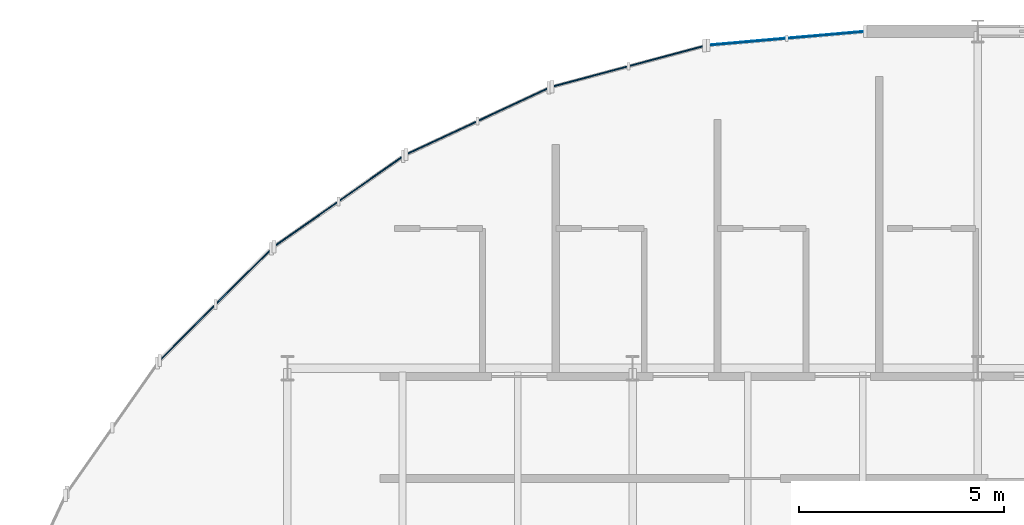
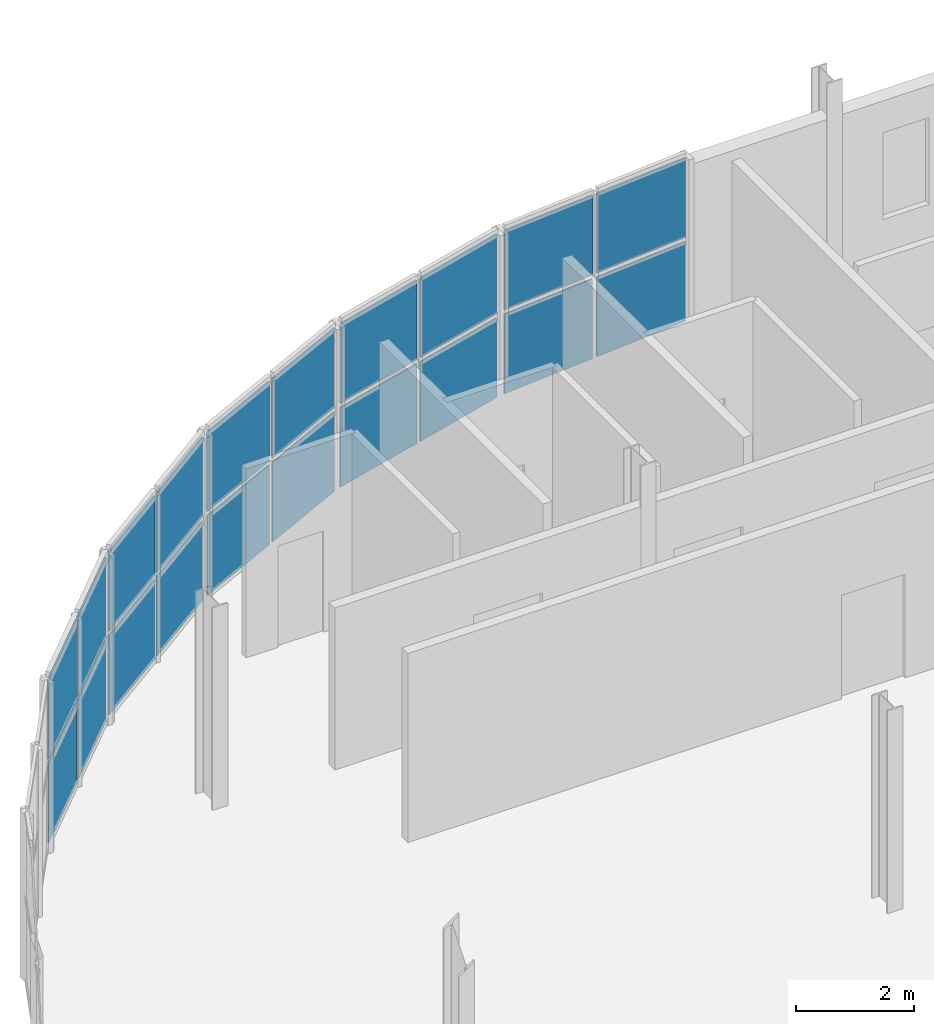
# One storey, part 33 of 58: 20 plates, 5 elements without a shape of their own.
"""IFC4 building model written with IfcOpenShell, lengths in metres."""

from ifc_helpers import new_model, si_unit, direction, frame, origin, origin_2d, place, context, subcontext, project, spatial, rectangle, extrude, material, layer, layer_set, type_object, element, aggregate, save


model = new_model("IFC4")

# Units and contexts
model_context = context("Model", 3, precision=1e-05, world=origin(), true_north=direction((0.0, 1.0)))
body_context = subcontext(model_context, "Body", "Model", "MODEL_VIEW")
ifc_project = project(units=[si_unit("LENGTHUNIT", "METRE"), si_unit("AREAUNIT", "SQUARE_METRE"), si_unit("VOLUMEUNIT", "CUBIC_METRE"), si_unit("PLANEANGLEUNIT", "RADIAN"), si_unit("MASSUNIT", "GRAM", prefix="KILO")], contexts=[model_context])

# Site, building, storey
site_placement = place(None, origin())
site = spatial("IfcSite", under=ifc_project, at=site_placement, CompositionType="ELEMENT")
building_placement = place(site_placement, origin())
building = spatial("IfcBuilding", under=site, at=building_placement, Name="Sefraquen Railside Congress Hotel", CompositionType="ELEMENT")
storey_placement = place(building_placement, frame((0.0, 0.0, 16.199951171875)))
storey = spatial("IfcBuildingStorey", under=building, at=storey_placement, Name="L03", CompositionType="ELEMENT", Elevation=16.199951171875)

# Curtain wall, plates
ifc_material_1 = material(Name="Thermally broken anodised aluminium and low-E double glazing", Category="aluminium")
ifc_layer_1 = layer(ifc_material_1, 0.199951171875)
ifc_layer_set_1 = layer_set([ifc_layer_1], Name="Thermally broken anodised aluminium and low-E double glazing")
curtain_wall_type_1 = type_object("IfcCurtainWallType", Name="TCW-UCW-28", PredefinedType="USERDEFINED", material=ifc_layer_set_1)
curtain_wall_1_placement = place(storey_placement, origin())
curtain_wall_1 = element("IfcCurtainWall", 1, at=curtain_wall_1_placement, inside=storey, type_object=curtain_wall_type_1, Name="Rotunda L03 curved curtain wall facet 1", ObjectType="UNITISED CURTAIN WALL", PredefinedType="USERDEFINED")
ifc_material_2 = material(Name="Solar-control low-E double glazing", Category="glass")
ifc_layer_2 = layer(ifc_material_2, 0.02392578125)
ifc_layer_set_2 = layer_set([ifc_layer_2], Name="Solar-control low-E double glazing")
plate_type_1 = type_object("IfcPlateType", Name="TP-CWP-01", PredefinedType="CURTAIN_PANEL", material=ifc_layer_set_2)
plate_1_placement = place(storey_placement, frame((21.50341796875, 117.912841796875, 0.0400390625), z_axis=(0.0, 0.0, 1.0), x_axis=(-0.996196219095, -0.087138355857, 0.0)))
plate_1 = element("IfcPlate", 2, at=plate_1_placement, type_object=plate_type_1, Name="CW-L03-ROT-01 panel 1.1", PredefinedType="CURTAIN_PANEL", context=body_context, shape_type="SweptSolid", body=[
    extrude(rectangle(XDim=1.8310546875, YDim=0.02392578125, at=origin_2d()), origin(), (0.0, 0.0, 1.0), 1.655029296875),
])
plate_2_placement = place(storey_placement, frame((19.589599609375, 117.745361328125, 0.0400390625), z_axis=(0.0, 0.0, 1.0), x_axis=(-0.996196219095, -0.087138355857, 0.0)))
plate_2 = element("IfcPlate", 3, at=plate_2_placement, type_object=plate_type_1, Name="CW-L03-ROT-01 panel 1.2", PredefinedType="CURTAIN_PANEL", context=body_context, shape_type="SweptSolid", body=[
    extrude(rectangle(XDim=1.8310546875, YDim=0.02392578125, at=origin_2d()), origin(), (0.0, 0.0, 1.0), 1.655029296875),
])

ifc_layer_3 = layer(ifc_material_1, 0.199951171875)
ifc_layer_set_3 = layer_set([ifc_layer_3], Name="Thermally broken anodised aluminium and low-E double glazing")
curtain_wall_type_2 = type_object("IfcCurtainWallType", Name="TCW-UCW-29", PredefinedType="USERDEFINED", material=ifc_layer_set_3)
curtain_wall_2_placement = place(storey_placement, origin())
curtain_wall_2 = element("IfcCurtainWall", 4, at=curtain_wall_2_placement, inside=storey, type_object=curtain_wall_type_2, Name="Rotunda L03 curved curtain wall facet 2", ObjectType="UNITISED CURTAIN WALL", PredefinedType="USERDEFINED")
plate_3_placement = place(storey_placement, frame((17.62646484375, 117.399169921875, 0.0400390625), z_axis=(0.0, 0.0, 1.0), x_axis=(-0.96593486019, -0.258785327773, 0.0)))
plate_3 = element("IfcPlate", 5, at=plate_3_placement, type_object=plate_type_1, Name="CW-L03-ROT-02 panel 1.1", PredefinedType="CURTAIN_PANEL", context=body_context, shape_type="SweptSolid", body=[
    extrude(rectangle(XDim=1.8310546875, YDim=0.02392578125, at=origin_2d()), origin(), (0.0, 0.0, 1.0), 1.655029296875),
])
plate_4_placement = place(storey_placement, frame((15.77099609375, 116.902099609375, 0.0400390625), z_axis=(0.0, 0.0, 1.0), x_axis=(-0.96593486019, -0.258785327773, 0.0)))
plate_4 = element("IfcPlate", 6, at=plate_4_placement, type_object=plate_type_1, Name="CW-L03-ROT-02 panel 1.2", PredefinedType="CURTAIN_PANEL", context=body_context, shape_type="SweptSolid", body=[
    extrude(rectangle(XDim=1.8310546875, YDim=0.02392578125, at=origin_2d()), origin(), (0.0, 0.0, 1.0), 1.655029296875),
])

ifc_layer_4 = layer(ifc_material_1, 0.199951171875)
ifc_layer_set_4 = layer_set([ifc_layer_4], Name="Thermally broken anodised aluminium and low-E double glazing")
curtain_wall_type_3 = type_object("IfcCurtainWallType", Name="TCW-UCW-30", PredefinedType="USERDEFINED", material=ifc_layer_set_4)
curtain_wall_3_placement = place(storey_placement, origin())
curtain_wall_3 = element("IfcCurtainWall", 7, at=curtain_wall_3_placement, inside=storey, type_object=curtain_wall_type_3, Name="Rotunda L03 curved curtain wall facet 3", ObjectType="UNITISED CURTAIN WALL", PredefinedType="USERDEFINED")
plate_5_placement = place(storey_placement, frame((13.897705078125, 116.22021484375, 0.0400390625), z_axis=(0.0, 0.0, 1.0), x_axis=(-0.906300410818, -0.422634079731, 0.0)))
plate_5 = element("IfcPlate", 8, at=plate_5_placement, type_object=plate_type_1, Name="CW-L03-ROT-03 panel 1.1", PredefinedType="CURTAIN_PANEL", context=body_context, shape_type="SweptSolid", body=[
    extrude(rectangle(XDim=1.830810546875, YDim=0.02392578125, at=origin_2d()), origin(), (0.0, 0.0, 1.0), 1.655029296875),
])
plate_6_placement = place(storey_placement, frame((12.15673828125, 115.408447265625, 0.0400390625), z_axis=(0.0, 0.0, 1.0), x_axis=(-0.906300410818, -0.422634079731, 0.0)))
plate_6 = element("IfcPlate", 9, at=plate_6_placement, type_object=plate_type_1, Name="CW-L03-ROT-03 panel 1.2", PredefinedType="CURTAIN_PANEL", context=body_context, shape_type="SweptSolid", body=[
    extrude(rectangle(XDim=1.830810546875, YDim=0.02392578125, at=origin_2d()), origin(), (0.0, 0.0, 1.0), 1.655029296875),
])

ifc_layer_5 = layer(ifc_material_1, 0.199951171875)
ifc_layer_set_5 = layer_set([ifc_layer_5], Name="Thermally broken anodised aluminium and low-E double glazing")
curtain_wall_type_4 = type_object("IfcCurtainWallType", Name="TCW-UCW-31", PredefinedType="USERDEFINED", material=ifc_layer_set_5)
curtain_wall_4_placement = place(storey_placement, origin())
curtain_wall_4 = element("IfcCurtainWall", 10, at=curtain_wall_4_placement, inside=storey, type_object=curtain_wall_type_4, Name="Rotunda L03 curved curtain wall facet 4", ObjectType="UNITISED CURTAIN WALL", PredefinedType="USERDEFINED")
plate_7_placement = place(storey_placement, frame((10.430419921875, 114.411865234375, 0.0400390625), z_axis=(0.0, 0.0, 1.0), x_axis=(-0.819132022195, -0.573605029802, 0.0)))
plate_7 = element("IfcPlate", 11, at=plate_7_placement, type_object=plate_type_1, Name="CW-L03-ROT-04 panel 1.1", PredefinedType="CURTAIN_PANEL", context=body_context, shape_type="SweptSolid", body=[
    extrude(rectangle(XDim=1.8310546875, YDim=0.02392578125, at=origin_2d()), origin(), (0.0, 0.0, 1.0), 1.655029296875),
])
plate_8_placement = place(storey_placement, frame((8.856689453125, 113.309814453125, 0.0400390625), z_axis=(0.0, 0.0, 1.0), x_axis=(-0.819132022195, -0.573605029802, 0.0)))
plate_8 = element("IfcPlate", 12, at=plate_8_placement, type_object=plate_type_1, Name="CW-L03-ROT-04 panel 1.2", PredefinedType="CURTAIN_PANEL", context=body_context, shape_type="SweptSolid", body=[
    extrude(rectangle(XDim=1.8310546875, YDim=0.02392578125, at=origin_2d()), origin(), (0.0, 0.0, 1.0), 1.655029296875),
])

ifc_layer_6 = layer(ifc_material_1, 0.199951171875)
ifc_layer_set_6 = layer_set([ifc_layer_6], Name="Thermally broken anodised aluminium and low-E double glazing")
curtain_wall_type_5 = type_object("IfcCurtainWallType", Name="TCW-UCW-32", PredefinedType="USERDEFINED", material=ifc_layer_set_6)
curtain_wall_5_placement = place(storey_placement, origin())
curtain_wall_5 = element("IfcCurtainWall", 13, at=curtain_wall_5_placement, inside=storey, type_object=curtain_wall_type_5, Name="Rotunda L03 curved curtain wall facet 5", ObjectType="UNITISED CURTAIN WALL", PredefinedType="USERDEFINED")
plate_9_placement = place(storey_placement, frame((7.329833984375, 112.028564453125, 0.0400390625), z_axis=(0.0, 0.0, 1.0), x_axis=(-0.707106781187, -0.707106781187, 0.0)))
plate_9 = element("IfcPlate", 14, at=plate_9_placement, type_object=plate_type_1, Name="CW-L03-ROT-05 panel 1.1", PredefinedType="CURTAIN_PANEL", context=body_context, shape_type="SweptSolid", body=[
    extrude(rectangle(XDim=1.8310546875, YDim=0.02392578125, at=origin_2d()), origin(), (0.0, 0.0, 1.0), 1.655029296875),
])
plate_10_placement = place(storey_placement, frame((5.971435546875, 110.670166015625, 0.0400390625), z_axis=(0.0, 0.0, 1.0), x_axis=(-0.707106781187, -0.707106781187, 0.0)))
plate_10 = element("IfcPlate", 15, at=plate_10_placement, type_object=plate_type_1, Name="CW-L03-ROT-05 panel 1.2", PredefinedType="CURTAIN_PANEL", context=body_context, shape_type="SweptSolid", body=[
    extrude(rectangle(XDim=1.8310546875, YDim=0.02392578125, at=origin_2d()), origin(), (0.0, 0.0, 1.0), 1.655029296875),
])

# Plate
ifc_material_3 = material(Name="Triple acoustic solar-control glazing", Category="glass")
ifc_layer_7 = layer(ifc_material_3, 0.031982421875)
ifc_layer_set_7 = layer_set([ifc_layer_7], Name="Triple acoustic solar-control glazing")
plate_type_2 = type_object("IfcPlateType", Name="TP-CWP-02", PredefinedType="CURTAIN_PANEL", material=ifc_layer_set_7)
plate_11_placement = place(storey_placement, frame((21.50341796875, 117.912841796875, 1.77490234375), z_axis=(0.0, 0.0, 1.0), x_axis=(-0.996196219095, -0.087138355857, 0.0)))
plate_11 = element("IfcPlate", 16, at=plate_11_placement, type_object=plate_type_2, Name="CW-L03-ROT-01 panel 2.1", PredefinedType="CURTAIN_PANEL", context=body_context, shape_type="SweptSolid", body=[
    extrude(rectangle(XDim=1.8310546875, YDim=0.031982421875, at=origin_2d()), origin(), (0.0, 0.0, 1.0), 1.655029296875),
])

plate_12_placement = place(storey_placement, frame((19.589599609375, 117.745361328125, 1.77490234375), z_axis=(0.0, 0.0, 1.0), x_axis=(-0.996196219095, -0.087138355857, 0.0)))
plate_12 = element("IfcPlate", 17, at=plate_12_placement, type_object=plate_type_2, Name="CW-L03-ROT-01 panel 2.2", PredefinedType="CURTAIN_PANEL", context=body_context, shape_type="SweptSolid", body=[
    extrude(rectangle(XDim=1.8310546875, YDim=0.031982421875, at=origin_2d()), origin(), (0.0, 0.0, 1.0), 1.655029296875),
])

aggregate(curtain_wall_1, [plate_1, plate_2, plate_11, plate_12])

plate_13_placement = place(storey_placement, frame((17.62646484375, 117.399169921875, 1.77490234375), z_axis=(0.0, 0.0, 1.0), x_axis=(-0.96593486019, -0.258785327773, 0.0)))
plate_13 = element("IfcPlate", 18, at=plate_13_placement, type_object=plate_type_2, Name="CW-L03-ROT-02 panel 2.1", PredefinedType="CURTAIN_PANEL", context=body_context, shape_type="SweptSolid", body=[
    extrude(rectangle(XDim=1.8310546875, YDim=0.031982421875, at=origin_2d()), origin(), (0.0, 0.0, 1.0), 1.655029296875),
])

plate_14_placement = place(storey_placement, frame((15.77099609375, 116.902099609375, 1.77490234375), z_axis=(0.0, 0.0, 1.0), x_axis=(-0.96593486019, -0.258785327773, 0.0)))
plate_14 = element("IfcPlate", 19, at=plate_14_placement, type_object=plate_type_2, Name="CW-L03-ROT-02 panel 2.2", PredefinedType="CURTAIN_PANEL", context=body_context, shape_type="SweptSolid", body=[
    extrude(rectangle(XDim=1.8310546875, YDim=0.031982421875, at=origin_2d()), origin(), (0.0, 0.0, 1.0), 1.655029296875),
])

aggregate(curtain_wall_2, [plate_3, plate_4, plate_13, plate_14])

plate_15_placement = place(storey_placement, frame((13.897705078125, 116.22021484375, 1.77490234375), z_axis=(0.0, 0.0, 1.0), x_axis=(-0.906300410818, -0.422634079731, 0.0)))
plate_15 = element("IfcPlate", 20, at=plate_15_placement, type_object=plate_type_2, Name="CW-L03-ROT-03 panel 2.1", PredefinedType="CURTAIN_PANEL", context=body_context, shape_type="SweptSolid", body=[
    extrude(rectangle(XDim=1.830810546875, YDim=0.031982421875, at=origin_2d()), origin(), (0.0, 0.0, 1.0), 1.655029296875),
])

plate_16_placement = place(storey_placement, frame((12.15673828125, 115.408447265625, 1.77490234375), z_axis=(0.0, 0.0, 1.0), x_axis=(-0.906300410818, -0.422634079731, 0.0)))
plate_16 = element("IfcPlate", 21, at=plate_16_placement, type_object=plate_type_2, Name="CW-L03-ROT-03 panel 2.2", PredefinedType="CURTAIN_PANEL", context=body_context, shape_type="SweptSolid", body=[
    extrude(rectangle(XDim=1.830810546875, YDim=0.031982421875, at=origin_2d()), origin(), (0.0, 0.0, 1.0), 1.655029296875),
])

aggregate(curtain_wall_3, [plate_5, plate_6, plate_15, plate_16])

plate_17_placement = place(storey_placement, frame((10.430419921875, 114.411865234375, 1.77490234375), z_axis=(0.0, 0.0, 1.0), x_axis=(-0.819132022195, -0.573605029802, 0.0)))
plate_17 = element("IfcPlate", 22, at=plate_17_placement, type_object=plate_type_2, Name="CW-L03-ROT-04 panel 2.1", PredefinedType="CURTAIN_PANEL", context=body_context, shape_type="SweptSolid", body=[
    extrude(rectangle(XDim=1.8310546875, YDim=0.031982421875, at=origin_2d()), origin(), (0.0, 0.0, 1.0), 1.655029296875),
])

plate_18_placement = place(storey_placement, frame((8.856689453125, 113.309814453125, 1.77490234375), z_axis=(0.0, 0.0, 1.0), x_axis=(-0.819132022195, -0.573605029802, 0.0)))
plate_18 = element("IfcPlate", 23, at=plate_18_placement, type_object=plate_type_2, Name="CW-L03-ROT-04 panel 2.2", PredefinedType="CURTAIN_PANEL", context=body_context, shape_type="SweptSolid", body=[
    extrude(rectangle(XDim=1.8310546875, YDim=0.031982421875, at=origin_2d()), origin(), (0.0, 0.0, 1.0), 1.655029296875),
])

aggregate(curtain_wall_4, [plate_7, plate_8, plate_17, plate_18])

plate_19_placement = place(storey_placement, frame((7.329833984375, 112.028564453125, 1.77490234375), z_axis=(0.0, 0.0, 1.0), x_axis=(-0.707106781187, -0.707106781187, 0.0)))
plate_19 = element("IfcPlate", 24, at=plate_19_placement, type_object=plate_type_2, Name="CW-L03-ROT-05 panel 2.1", PredefinedType="CURTAIN_PANEL", context=body_context, shape_type="SweptSolid", body=[
    extrude(rectangle(XDim=1.8310546875, YDim=0.031982421875, at=origin_2d()), origin(), (0.0, 0.0, 1.0), 1.655029296875),
])

plate_20_placement = place(storey_placement, frame((5.971435546875, 110.670166015625, 1.77490234375), z_axis=(0.0, 0.0, 1.0), x_axis=(-0.707106781187, -0.707106781187, 0.0)))
plate_20 = element("IfcPlate", 25, at=plate_20_placement, type_object=plate_type_2, Name="CW-L03-ROT-05 panel 2.2", PredefinedType="CURTAIN_PANEL", context=body_context, shape_type="SweptSolid", body=[
    extrude(rectangle(XDim=1.8310546875, YDim=0.031982421875, at=origin_2d()), origin(), (0.0, 0.0, 1.0), 1.655029296875),
])

aggregate(curtain_wall_5, [plate_9, plate_10, plate_19, plate_20])

save(model, "model.ifc")
